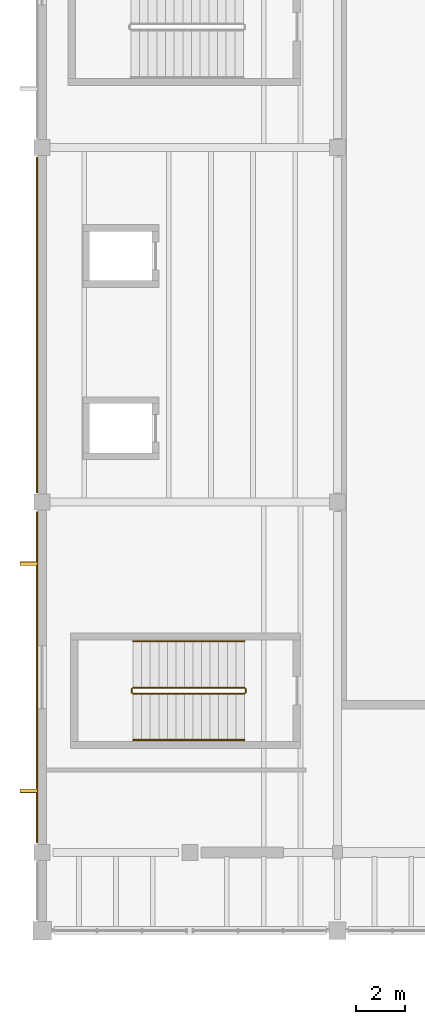
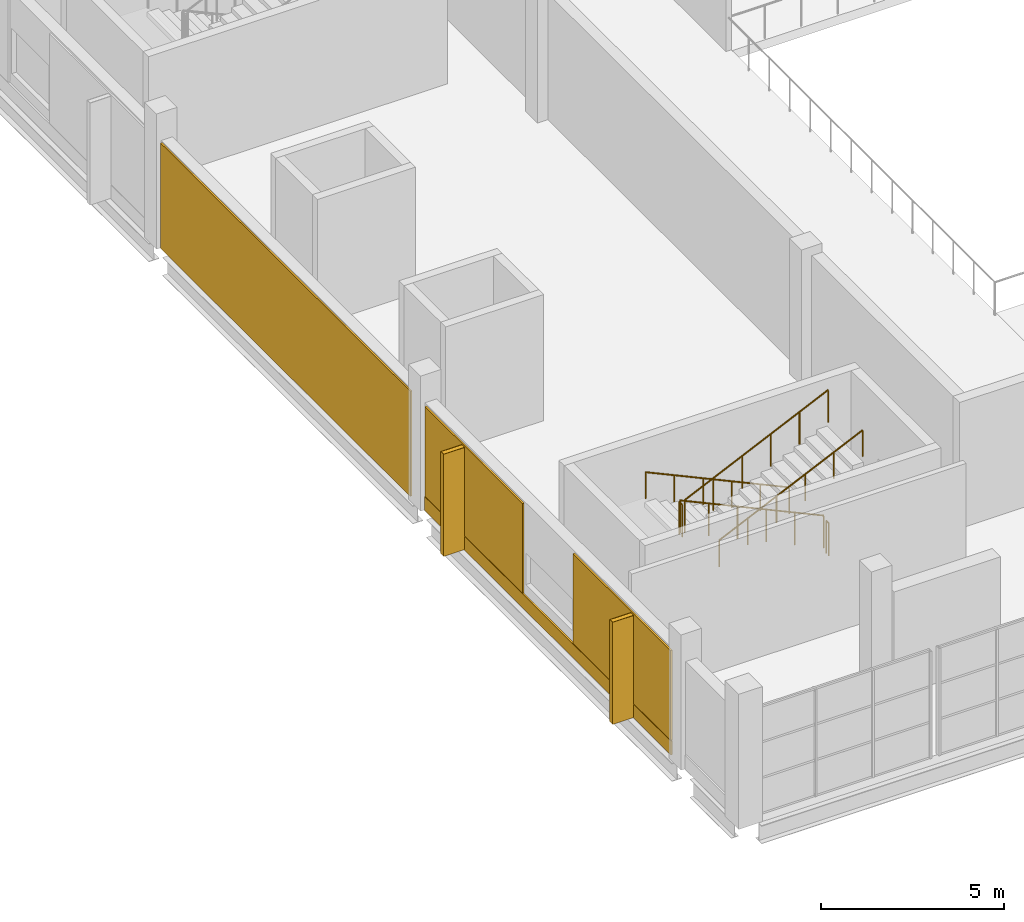
# One storey, part 55 of 63: 6 coverings, 6 railings, 2 shading devices.
"""IFC4 building model written with IfcOpenShell, lengths in metres."""

import ifcopenshell
import ifcopenshell.guid

model = None  # the IFC model being written
_history = None  # IfcOwnerHistory: only IFC2X3 demands one
_inside = {}  # id of a spatial element -> (the spatial element, [elements in it])
_under = {}  # id of a project, library or spatial element -> (it, [spatial elements below it])
_declared = {}  # id of a project -> (the project, [libraries it declares])
_typed = {}  # id of a type object -> (the type object, [elements of that type])
_made_of = {}  # id of a material, layer set ... -> (it, [elements and type objects made of it])


def new_model(schema):
    """Start an empty IFC model of exactly this schema.

    Asked for "IFC4X3", IfcOpenShell would pick the latest addendum, in which some entities
    have other attributes; the version numbers below select the first issue.
    IFC2X3 requires an IfcOwnerHistory on every rooted entity: one is made here for all.
    """
    global model, _history
    if schema == "IFC4X3":
        model = ifcopenshell.file(schema_version=(4, 3, 0, 0))
    else:
        model = ifcopenshell.file(schema=schema)
    _inside.clear()
    _under.clear()
    _declared.clear()
    _typed.clear()
    _made_of.clear()
    _history = None
    if model.schema == "IFC2X3":
        org = make("IfcOrganization", Name="unknown")
        user = make(
            "IfcPersonAndOrganization",
            ThePerson=make("IfcPerson", FamilyName="unknown"),
            TheOrganization=org,
        )
        app = make(
            "IfcApplication",
            ApplicationDeveloper=org,
            Version="unknown",
            ApplicationFullName="unknown",
            ApplicationIdentifier="unknown",
        )
        _history = make(
            "IfcOwnerHistory",
            OwningUser=user,
            OwningApplication=app,
            ChangeAction="ADDED",
            CreationDate=0,
        )
    return model


def make(cls, **values):
    """One entity of the class cls with the attributes given. An attribute that is None is left unset."""
    return model.create_entity(
        cls, **{name: value for name, value in values.items() if value is not None}
    )


def rooted(cls, **values):
    """An entity with a GlobalId (a new one), such as an element, a storey or a relation."""
    return make(cls, GlobalId=ifcopenshell.guid.new(), OwnerHistory=_history, **values)


def si_unit(unit_type, name, prefix=None):
    """IfcSIUnit, for example si_unit("LENGTHUNIT", "METRE", prefix="MILLI")."""
    return make("IfcSIUnit", UnitType=unit_type, Prefix=prefix, Name=name)


def assignment(units):
    """IfcUnitAssignment: the units of a project."""
    return None if units is None else make("IfcUnitAssignment", Units=units)


def point(xyz):
    """IfcCartesianPoint."""
    return None if xyz is None else make("IfcCartesianPoint", Coordinates=xyz)


def direction(xyz):
    """IfcDirection."""
    return None if xyz is None else make("IfcDirection", DirectionRatios=xyz)


def frame(location, z_axis=None, x_axis=None):
    """IfcAxis2Placement3D, a coordinate frame: its origin and axes. An axis left out is left unset."""
    return make(
        "IfcAxis2Placement3D",
        Location=point(location),
        Axis=direction(z_axis),
        RefDirection=direction(x_axis),
    )


def frame_2d(location, x_axis=None):
    """IfcAxis2Placement2D, a coordinate frame in the plane: its origin and x axis."""
    return make(
        "IfcAxis2Placement2D", Location=point(location), RefDirection=direction(x_axis)
    )


def origin():
    """The frame at (0, 0, 0) with its axes left unset."""
    return frame((0.0, 0.0, 0.0))


def origin_2d():
    """The frame at (0, 0) in the plane with its x axis left unset."""
    return frame_2d((0.0, 0.0))


def place(relative_to, where):
    """IfcLocalPlacement: puts the frame where relative to a parent placement (None: the world)."""
    return make(
        "IfcLocalPlacement", PlacementRelTo=relative_to, RelativePlacement=where
    )


def context(
    kind, dimensions, precision=None, world=None, true_north=None, identifier=None
):
    """IfcGeometricRepresentationContext, for example the 3D "Model" context."""
    return make(
        "IfcGeometricRepresentationContext",
        ContextIdentifier=identifier,
        ContextType=kind,
        CoordinateSpaceDimension=dimensions,
        Precision=precision,
        WorldCoordinateSystem=world,
        TrueNorth=true_north,
    )


def subcontext(parent, identifier, kind, view, scale=None):
    """IfcGeometricRepresentationSubContext, for example "Body" below "Model"."""
    return make(
        "IfcGeometricRepresentationSubContext",
        ContextIdentifier=identifier,
        ContextType=kind,
        ParentContext=parent,
        TargetScale=scale,
        TargetView=view,
    )


def project(units=None, contexts=None):
    """IfcProject with its units and contexts."""
    return rooted(
        "IfcProject",
        Name="project",
        RepresentationContexts=contexts,
        UnitsInContext=assignment(units),
    )


def spatial(cls, under=None, at=None, **own):
    """A site, building, storey or space (cls), placed at a placement, below another one or the project."""
    s = rooted(cls, ObjectPlacement=at, **own)
    if under is not None:
        _under.setdefault(under.id(), (under, []))[1].append(s)
    return s


def profile(cls, at=None, kind="AREA", **sizes):
    """A parametric profile (cls). Its sizes go by their IFC names, for example OverallWidth=200.0."""
    return make(cls, ProfileType=kind, Position=at, **sizes)


def rectangle(**sizes):
    """IfcRectangleProfileDef."""
    return profile("IfcRectangleProfileDef", **sizes)


def circle(**sizes):
    """IfcCircleProfileDef."""
    return profile("IfcCircleProfileDef", **sizes)


def extrude(swept, where, along, depth):
    """IfcExtrudedAreaSolid: the profile swept, set in the frame where, extruded along a direction by depth."""
    return make(
        "IfcExtrudedAreaSolid",
        SweptArea=swept,
        Position=where,
        ExtrudedDirection=direction(along),
        Depth=depth,
    )


def shape(context_of_items, identifier, shape_type, items):
    """IfcShapeRepresentation: the items that make up one representation, for example the "Body"."""
    return make(
        "IfcShapeRepresentation",
        ContextOfItems=context_of_items,
        RepresentationIdentifier=identifier,
        RepresentationType=shape_type,
        Items=items,
    )


def material(Name=None, Category=None):
    """IfcMaterial."""
    return make("IfcMaterial", Name=Name, Category=Category)


def layer(
    of_material, thickness, ventilated=None, Name=None, Category=None, Priority=None
):
    """IfcMaterialLayer: one layer of a wall or slab, of a material (None: an air gap)."""
    return make(
        "IfcMaterialLayer",
        Material=of_material,
        LayerThickness=thickness,
        IsVentilated=ventilated,
        Name=Name,
        Category=Category,
        Priority=Priority,
    )


def layer_set(layers, Name=None):
    """IfcMaterialLayerSet."""
    return make("IfcMaterialLayerSet", MaterialLayers=layers, LayerSetName=Name)


def made_of(thing, what):
    """Note that an element or type object is made of a material, layer set ...; save() writes the relation."""
    if what is not None:
        _made_of.setdefault(what.id(), (what, []))[1].append(thing)
    return thing


def type_object(cls, material=None, **own):
    """A type object (cls), such as IfcWallType, which elements share."""
    return made_of(rooted(cls, **own), material)


def element(
    cls,
    number,
    at=None,
    inside=None,
    cuts=None,
    type_object=None,
    material=None,
    context=None,
    identifier="Body",
    shape_type=None,
    held_by="IfcProductDefinitionShape",
    body=None,
    shapes=None,
    **own,
):
    """One element of the class cls, such as IfcWall. Its Tag is "e" and its number.

    at: its placement. inside: the storey or other place that contains it. cuts: it is an
    opening in that element (IfcRelVoidsElement). A single representation is given by context,
    identifier, shape_type and body (its items); several are given by shapes. held_by: the class
    of the entity that holds the representations. save() writes the other relations.
    """
    e = rooted(cls, Tag="e%d" % number, ObjectPlacement=at, **own)
    if body is not None:
        shapes = [shape(context, identifier, shape_type, body)]
    if shapes is not None:
        e.Representation = make(held_by, Representations=shapes)
    if inside is not None:
        _inside.setdefault(inside.id(), (inside, []))[1].append(e)
    if cuts is not None:
        rooted(
            "IfcRelVoidsElement", RelatingBuildingElement=cuts, RelatedOpeningElement=e
        )
    if type_object is not None:
        _typed.setdefault(type_object.id(), (type_object, []))[1].append(e)
    return made_of(e, material)


def aggregate(whole, parts):
    """IfcRelAggregates: a whole, such as a stair, and the parts it consists of."""
    return rooted("IfcRelAggregates", RelatingObject=whole, RelatedObjects=parts)


def save(model, path):
    """Write the relations noted so far, then the file.

    IfcRelAggregates (storeys below a building ...), IfcRelContainedInSpatialStructure (elements
    in a storey), IfcRelDefinesByType, IfcRelAssociatesMaterial and IfcRelDeclares: one each for
    every whole, place, type object, material and project.
    """
    for whole, parts in _under.values():
        aggregate(whole, parts)
    for where, things in _inside.values():
        rooted(
            "IfcRelContainedInSpatialStructure",
            RelatedElements=things,
            RelatingStructure=where,
        )
    for kind, things in _typed.values():
        rooted("IfcRelDefinesByType", RelatedObjects=things, RelatingType=kind)
    for what, things in _made_of.values():
        rooted("IfcRelAssociatesMaterial", RelatedObjects=things, RelatingMaterial=what)
    for by, libraries in _declared.values():
        rooted("IfcRelDeclares", RelatingContext=by, RelatedDefinitions=libraries)
    model.write(path)


model = new_model("IFC4")

# Units and contexts
model_context = context("Model", 3, precision=1e-05, world=origin(), true_north=direction((0.0, 1.0)))
body_context = subcontext(model_context, "Body", "Model", "MODEL_VIEW")
ifc_project = project(units=[si_unit("LENGTHUNIT", "METRE"), si_unit("AREAUNIT", "SQUARE_METRE"), si_unit("VOLUMEUNIT", "CUBIC_METRE"), si_unit("PLANEANGLEUNIT", "RADIAN"), si_unit("MASSUNIT", "GRAM", prefix="KILO")], contexts=[model_context])

# Site, building, storey
site_placement = place(None, origin())
site = spatial("IfcSite", under=ifc_project, at=site_placement, CompositionType="ELEMENT")
building_placement = place(site_placement, origin())
building = spatial("IfcBuilding", under=site, at=building_placement, Name="Kelmvaro Bay Concert Hall", CompositionType="ELEMENT")
storey_placement = place(building_placement, frame((0.0, 0.0, 13.800048828125)))
storey = spatial("IfcBuildingStorey", under=building, at=storey_placement, Name="L03", CompositionType="ELEMENT", Elevation=13.800048828125)

# Shading devices
ifc_material_1 = material(Name="Anodised Extruded Aluminium 6063-T6", Category="aluminium")
ifc_layer_1 = layer(ifc_material_1, 3.39990234375)
ifc_layer_set_1 = layer_set([ifc_layer_1], Name="Anodised Extruded Aluminium 6063-T6")
shading_device_type = type_object("IfcShadingDeviceType", Name="Bauhaus Vertical Solar Brise-Soleil Fin 720x3400", PredefinedType="SHUTTER", material=ifc_layer_set_1)
for number, where, z_axis, x_axis, name in (
    (1, (-0.535888671875, 71.076171875, 0.06005859375), (0.0, 0.0, 1.0), (0.0, 1.0, 0.0), "L03 Solar Brise-Soleil Fin 032"),
    (2, (-0.535888671875, 80.3037109375, 0.06005859375), (0.0, 0.0, 1.0), (0.0, 1.0, 0.0), "L03 Solar Brise-Soleil Fin 033"),
):
    element("IfcShadingDevice", number, at=place(storey_placement, frame(where, z_axis=z_axis, x_axis=x_axis)), inside=storey, type_object=shading_device_type, Name=name, PredefinedType="SHUTTER", context=body_context, shape_type="SweptSolid", body=[
        extrude(rectangle(XDim=0.159912109375, YDim=0.719970703125, at=origin_2d()), origin(), (0.0, 0.0, 1.0), 3.39990234375),
    ])

# Coverings
ifc_material_2 = material(Name="PVDF-Coated Architectural Aluminium", Category="aluminium")
ifc_layer_2 = layer(ifc_material_2, 0.0400390625)
ifc_layer_set_2 = layer_set([ifc_layer_2], Name="PVDF-Coated Architectural Aluminium")
covering_type_1 = type_object("IfcCoveringType", Name="De Stijl Enamelled Aluminium Fascia Panel 40", PredefinedType="CLADDING", material=ifc_layer_set_2)
for number, where, z_axis, x_axis, name in (
    (3, (-0.535888671875, 71.076171875, 0.06005859375), (0.0, 0.0, 1.0), (0.0, 1.0, 0.0), "L03 Architectural Vertical Fin Cladding 0124"),
    (4, (-0.535888671875, 80.3037109375, 0.06005859375), (0.0, 0.0, 1.0), (0.0, 1.0, 0.0), "L03 Architectural Vertical Fin Cladding 0125"),
):
    element("IfcCovering", number, at=place(storey_placement, frame(where, z_axis=z_axis, x_axis=x_axis)), inside=storey, type_object=covering_type_1, Name=name, PredefinedType="CLADDING", context=body_context, shape_type="SweptSolid", body=[
        extrude(rectangle(XDim=0.139892578125, YDim=0.699951171875, at=origin_2d()), origin(), (0.0, 0.0, 1.0), 3.39990234375),
    ])
ifc_material_3 = material(Name="Honed Florida Limestone Travertine", Category="masonry")
ifc_layer_3 = layer(ifc_material_3, 0.054931640625)
ifc_layer_set_3 = layer_set([ifc_layer_3], Name="Honed Florida Limestone Travertine")
covering_type_2 = type_object("IfcCoveringType", Name="Honed Florida Travertine Rainscreen Cladding 55", PredefinedType="CLADDING", material=ifc_layer_set_3)
covering_1_placement = place(storey_placement, frame((-0.20556640625, 75.68994140625, 0.0400390625), z_axis=(0.0, 0.0, 1.0), x_axis=(0.0, 1.0, 0.0)))
element("IfcCovering", 5, at=covering_1_placement, inside=storey, type_object=covering_type_2, Name="L03 Travertine Sill Band 0123", PredefinedType="CLADDING", context=body_context, shape_type="SweptSolid", body=[
    extrude(rectangle(XDim=13.449951171875, YDim=0.054931640625, at=origin_2d()), origin(), (0.0, 0.0, 1.0), 0.4599609375),
])
for number, where, z_axis, x_axis, name in (
    (6, (-0.20556640625, 71.64990234375, 0.52001953125), (0.0, 0.0, 1.0), (0.0, 1.0, 0.0), "L03 Travertine Pier Panel 0126"),
    (7, (-0.20556640625, 79.72998046875, 0.52001953125), (0.0, 0.0, 1.0), (0.0, 1.0, 0.0), "L03 Travertine Pier Panel 0127"),
):
    element("IfcCovering", number, at=place(storey_placement, frame(where, z_axis=z_axis, x_axis=x_axis)), inside=storey, type_object=covering_type_2, Name=name, PredefinedType="CLADDING", context=body_context, shape_type="SweptSolid", body=[
        extrude(rectangle(XDim=5.330078125, YDim=0.054931640625, at=origin_2d()), origin(), (0.0, 0.0, 1.0), 2.989013671875),
    ])
covering_2_placement = place(storey_placement, frame((-0.20556640625, 90.0, 0.02978515625), z_axis=(0.0, 0.0, 1.0), x_axis=(0.0, 1.0, 0.0)))
element("IfcCovering", 8, at=covering_2_placement, inside=storey, type_object=covering_type_2, Name="L03 Travertine Cladding Panel 0128", PredefinedType="CLADDING", context=body_context, shape_type="SweptSolid", body=[
    extrude(rectangle(XDim=13.6298828125, YDim=0.054931640625, at=origin_2d()), origin(), (0.0, 0.0, 1.0), 3.509033203125),
])

# Railings
ifc_material_4 = material(Name="Brushed Stainless Steel 316", Category="steel")
railing_type_1 = type_object("IfcRailingType", Name="Stair Stainless Wall Handrail 900", PredefinedType="HANDRAIL", material=ifc_material_4)
railing_1_placement = place(storey_placement, frame((8.219970703125, 77.14990234375, 0.16064453125)))
element("IfcRailing", 9, at=railing_1_placement, inside=storey, type_object=railing_type_1, Name="L03 ST-01 stair handrail 1", PredefinedType="HANDRAIL", context=body_context, shape_type="SweptSolid", body=[
    extrude(circle(Radius=0.02392578125, at=origin_2d()), frame((0.0, 0.0, 0.8759765625), z_axis=(-0.907853242209, 0.0, 0.419288075922), x_axis=(0.0, -1.0, 0.0)), (0.0, 0.0, 1.0), 4.983154296875),
    extrude(circle(Radius=0.02099609375, at=origin_2d()), origin(), (0.0, 0.0, 1.0), 0.851806640625),
    extrude(circle(Radius=0.02099609375, at=origin_2d()), frame((-0.90478515625, 0.0, 0.41796875)), (0.0, 0.0, 1.0), 0.851806640625),
    extrude(circle(Radius=0.02099609375, at=origin_2d()), frame((-1.8095703125, 0.0, 0.835693359375)), (0.0, 0.0, 1.0), 0.851806640625),
    extrude(circle(Radius=0.02099609375, at=origin_2d()), frame((-2.71435546875, 0.0, 1.253662109375)), (0.0, 0.0, 1.0), 0.851806640625),
    extrude(circle(Radius=0.02099609375, at=origin_2d()), frame((-3.619140625, 0.0, 1.67138671875)), (0.0, 0.0, 1.0), 0.851806640625),
    extrude(circle(Radius=0.02099609375, at=origin_2d()), frame((-4.52392578125, 0.0, 2.08935546875)), (0.0, 0.0, 1.0), 0.851806640625),
])
railing_2_placement = place(storey_placement, frame((3.696044921875, 73.139892578125, 2.41064453125)))
element("IfcRailing", 10, at=railing_2_placement, inside=storey, type_object=railing_type_1, Name="L03 ST-01 stair handrail 2", PredefinedType="HANDRAIL", context=body_context, shape_type="SweptSolid", body=[
    extrude(circle(Radius=0.02392578125, at=origin_2d()), frame((0.0, 0.0, 0.8759765625), z_axis=(0.907853242209, 0.0, 0.419288075922), x_axis=(0.0, 1.0, 0.0)), (0.0, 0.0, 1.0), 4.983154296875),
    extrude(circle(Radius=0.02099609375, at=origin_2d()), origin(), (0.0, 0.0, 1.0), 0.851806640625),
    extrude(circle(Radius=0.02099609375, at=origin_2d()), frame((0.90478515625, 0.0, 0.41796875)), (0.0, 0.0, 1.0), 0.851806640625),
    extrude(circle(Radius=0.02099609375, at=origin_2d()), frame((1.8095703125, 0.0, 0.835693359375)), (0.0, 0.0, 1.0), 0.851806640625),
    extrude(circle(Radius=0.02099609375, at=origin_2d()), frame((2.71435546875, 0.0, 1.253662109375)), (0.0, 0.0, 1.0), 0.851806640625),
    extrude(circle(Radius=0.02099609375, at=origin_2d()), frame((3.619140625, 0.0, 1.67138671875)), (0.0, 0.0, 1.0), 0.851806640625),
    extrude(circle(Radius=0.02099609375, at=origin_2d()), frame((4.52392578125, 0.0, 2.08935546875)), (0.0, 0.0, 1.0), 0.851806640625),
])
ifc_material_5 = material(Name="Powder-Coated Steel ASTM A500", Category="steel")
railing_type_2 = type_object("IfcRailingType", Name="Stair Well Painted Steel Guard 1100", PredefinedType="BALUSTRADE", material=ifc_material_5)
railing_3_placement = place(storey_placement, frame((8.219970703125, 75.27001953125, 0.16064453125)))
element("IfcRailing", 11, at=railing_3_placement, inside=storey, type_object=railing_type_2, Name="L03 ST-01 stair guard 1", PredefinedType="BALUSTRADE", context=body_context, shape_type="SweptSolid", body=[
    extrude(circle(Radius=0.02392578125, at=origin_2d()), frame((0.0, 0.0, 1.076171875), z_axis=(-0.907853242209, 0.0, 0.419288075922), x_axis=(0.0, -1.0, 0.0)), (0.0, 0.0, 1.0), 4.983154296875),
    extrude(circle(Radius=0.02099609375, at=origin_2d()), origin(), (0.0, 0.0, 1.0), 1.052001953125),
    extrude(circle(Radius=0.02099609375, at=origin_2d()), frame((-0.90478515625, 0.0, 0.41796875)), (0.0, 0.0, 1.0), 1.052001953125),
    extrude(circle(Radius=0.02099609375, at=origin_2d()), frame((-1.8095703125, 0.0, 0.835693359375)), (0.0, 0.0, 1.0), 1.052001953125),
    extrude(circle(Radius=0.02099609375, at=origin_2d()), frame((-2.71435546875, 0.0, 1.253662109375)), (0.0, 0.0, 1.0), 1.052001953125),
    extrude(circle(Radius=0.02099609375, at=origin_2d()), frame((-3.619140625, 0.0, 1.67138671875)), (0.0, 0.0, 1.0), 1.052001953125),
    extrude(circle(Radius=0.02099609375, at=origin_2d()), frame((-4.52392578125, 0.0, 2.08935546875)), (0.0, 0.0, 1.0), 1.052001953125),
])
railing_4_placement = place(storey_placement, frame((3.64599609375, 75.219970703125, 2.25)))
element("IfcRailing", 12, at=railing_4_placement, inside=storey, type_object=railing_type_2, Name="L03 ST-01 stair guard 2", PredefinedType="BALUSTRADE", context=body_context, shape_type="SweptSolid", body=[
    extrude(circle(Radius=0.02392578125, at=origin_2d()), frame((0.0, 0.0, 1.076171875), z_axis=(0.0, -1.0, 0.0), x_axis=(1.0, 0.0, 0.0)), (0.0, 0.0, 1.0), 0.14990234375),
    extrude(circle(Radius=0.02099609375, at=origin_2d()), origin(), (0.0, 0.0, 1.0), 1.052001953125),
    extrude(circle(Radius=0.02099609375, at=origin_2d()), frame((0.0, -0.14990234375, 0.0)), (0.0, 0.0, 1.0), 1.052001953125),
])
railing_5_placement = place(storey_placement, frame((3.696044921875, 75.02001953125, 2.41064453125)))
element("IfcRailing", 13, at=railing_5_placement, inside=storey, type_object=railing_type_2, Name="L03 ST-01 stair guard 3", PredefinedType="BALUSTRADE", context=body_context, shape_type="SweptSolid", body=[
    extrude(circle(Radius=0.02392578125, at=origin_2d()), frame((0.0, 0.0, 1.076171875), z_axis=(0.907853242209, 0.0, 0.419288075922), x_axis=(0.0, 1.0, 0.0)), (0.0, 0.0, 1.0), 4.983154296875),
    extrude(circle(Radius=0.02099609375, at=origin_2d()), origin(), (0.0, 0.0, 1.0), 1.052001953125),
    extrude(circle(Radius=0.02099609375, at=origin_2d()), frame((0.90478515625, 0.0, 0.41796875)), (0.0, 0.0, 1.0), 1.052001953125),
    extrude(circle(Radius=0.02099609375, at=origin_2d()), frame((1.8095703125, 0.0, 0.835693359375)), (0.0, 0.0, 1.0), 1.052001953125),
    extrude(circle(Radius=0.02099609375, at=origin_2d()), frame((2.71435546875, 0.0, 1.253662109375)), (0.0, 0.0, 1.0), 1.052001953125),
    extrude(circle(Radius=0.02099609375, at=origin_2d()), frame((3.619140625, 0.0, 1.67138671875)), (0.0, 0.0, 1.0), 1.052001953125),
    extrude(circle(Radius=0.02099609375, at=origin_2d()), frame((4.52392578125, 0.0, 2.08935546875)), (0.0, 0.0, 1.0), 1.052001953125),
])
railing_6_placement = place(storey_placement, frame((8.27001953125, 75.219970703125, 0.0)))
element("IfcRailing", 14, at=railing_6_placement, inside=storey, type_object=railing_type_2, Name="L03 ST-01 stair guard 4", PredefinedType="BALUSTRADE", context=body_context, shape_type="SweptSolid", body=[
    extrude(circle(Radius=0.02392578125, at=origin_2d()), frame((0.0, 0.0, 1.076171875), z_axis=(0.0, -1.0, 0.0), x_axis=(1.0, 0.0, 0.0)), (0.0, 0.0, 1.0), 0.14990234375),
    extrude(circle(Radius=0.02099609375, at=origin_2d()), origin(), (0.0, 0.0, 1.0), 1.052001953125),
    extrude(circle(Radius=0.02099609375, at=origin_2d()), frame((0.0, -0.14990234375, 0.0)), (0.0, 0.0, 1.0), 1.052001953125),
])

save(model, "model.ifc")
